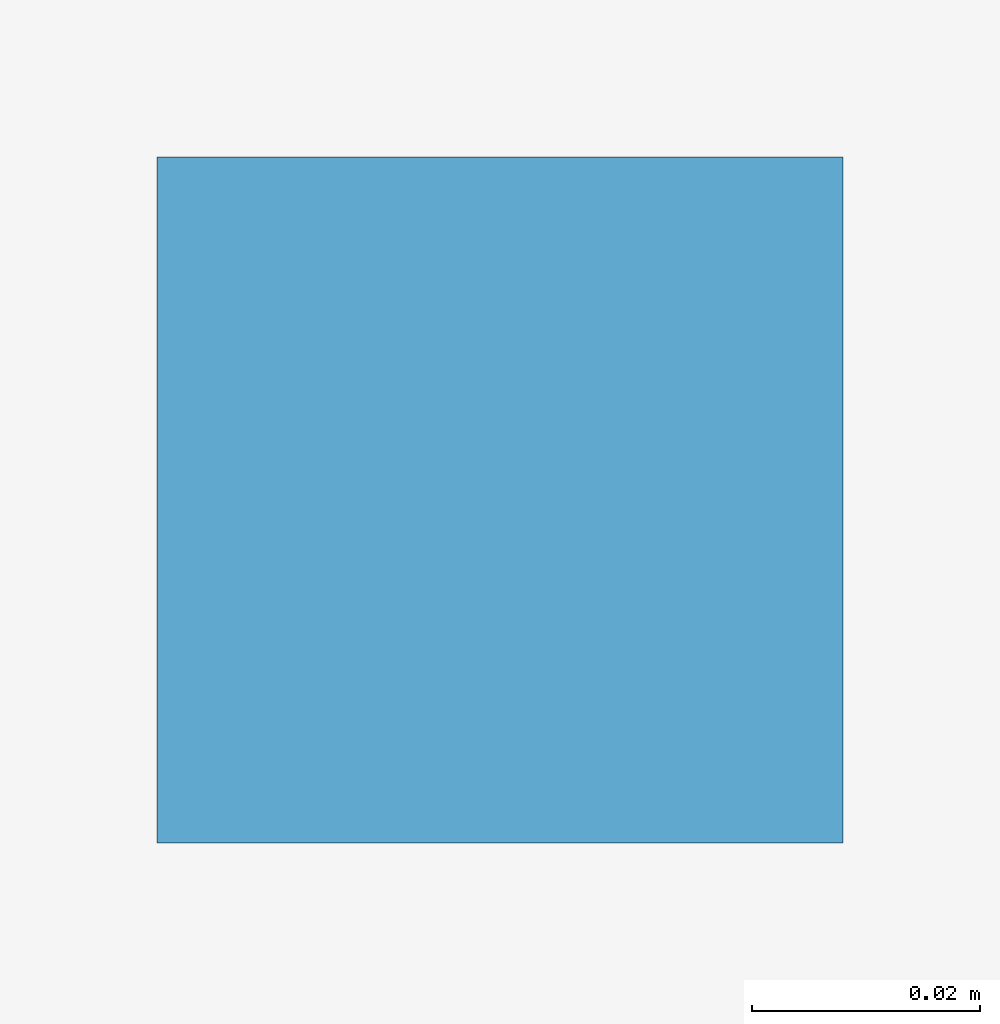
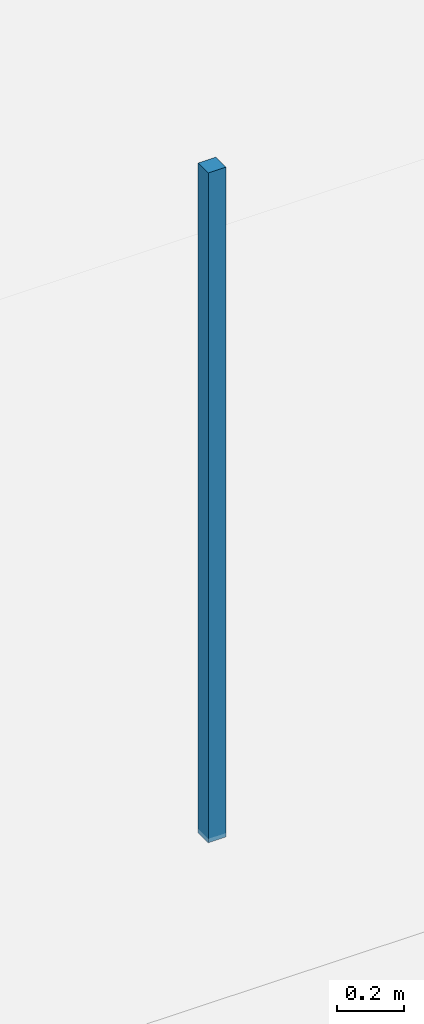
# One storey, part 74 of 90: 1 discrete accessory.
"""IFC4 building model written with IfcOpenShell, lengths in metres."""

from ifc_helpers import new_model, si_unit, direction, frame, origin, origin_2d, place, context, subcontext, project, spatial, rectangle, extrude, material, type_object, element, save


model = new_model("IFC4")

# Units and contexts
model_context = context("Model", 3, precision=1e-05, world=origin(), true_north=direction((0.0, 1.0)))
body_context = subcontext(model_context, "Body", "Model", "MODEL_VIEW")
ifc_project = project(units=[si_unit("LENGTHUNIT", "METRE"), si_unit("AREAUNIT", "SQUARE_METRE"), si_unit("VOLUMEUNIT", "CUBIC_METRE"), si_unit("PLANEANGLEUNIT", "RADIAN"), si_unit("MASSUNIT", "GRAM", prefix="KILO")], contexts=[model_context])

# Site, building, storey
site_placement = place(None, origin())
site = spatial("IfcSite", under=ifc_project, at=site_placement, CompositionType="ELEMENT")
building_placement = place(site_placement, origin())
building = spatial("IfcBuilding", under=site, at=building_placement, Name="Kangsadwip Square Police Headquarters", CompositionType="ELEMENT")
storey_placement = place(building_placement, origin())
storey = spatial("IfcBuildingStorey", under=building, at=storey_placement, Name="L00", CompositionType="ELEMENT", Elevation=0.0)

# Discrete accessory
ifc_material = material(Name="Structural steel IS 2062 E350 (Grade 350, 350 MPa)", Category="steel")
discrete_accessory_type = type_object("IfcDiscreteAccessoryType", Name="VeilOutriggerBracket", PredefinedType="BRACKET", material=ifc_material)
discrete_accessory_placement = place(storey_placement, frame((3.64990234375, 82.800048828125, 2.81005859375), z_axis=(0.0, 0.0, 1.0), x_axis=(1.0, 0.0, 0.0)))
element("IfcDiscreteAccessory", 1, at=discrete_accessory_placement, inside=storey, type_object=discrete_accessory_type, Name="Ceiling Suspension Hanger L00-017", PredefinedType="BRACKET", context=body_context, shape_type="SweptSolid", body=[
    extrude(rectangle(XDim=0.06005859375, YDim=0.06005859375, at=origin_2d()), origin(), (0.0, 0.0, 1.0), 2.429931640625),
])

save(model, "model.ifc")
